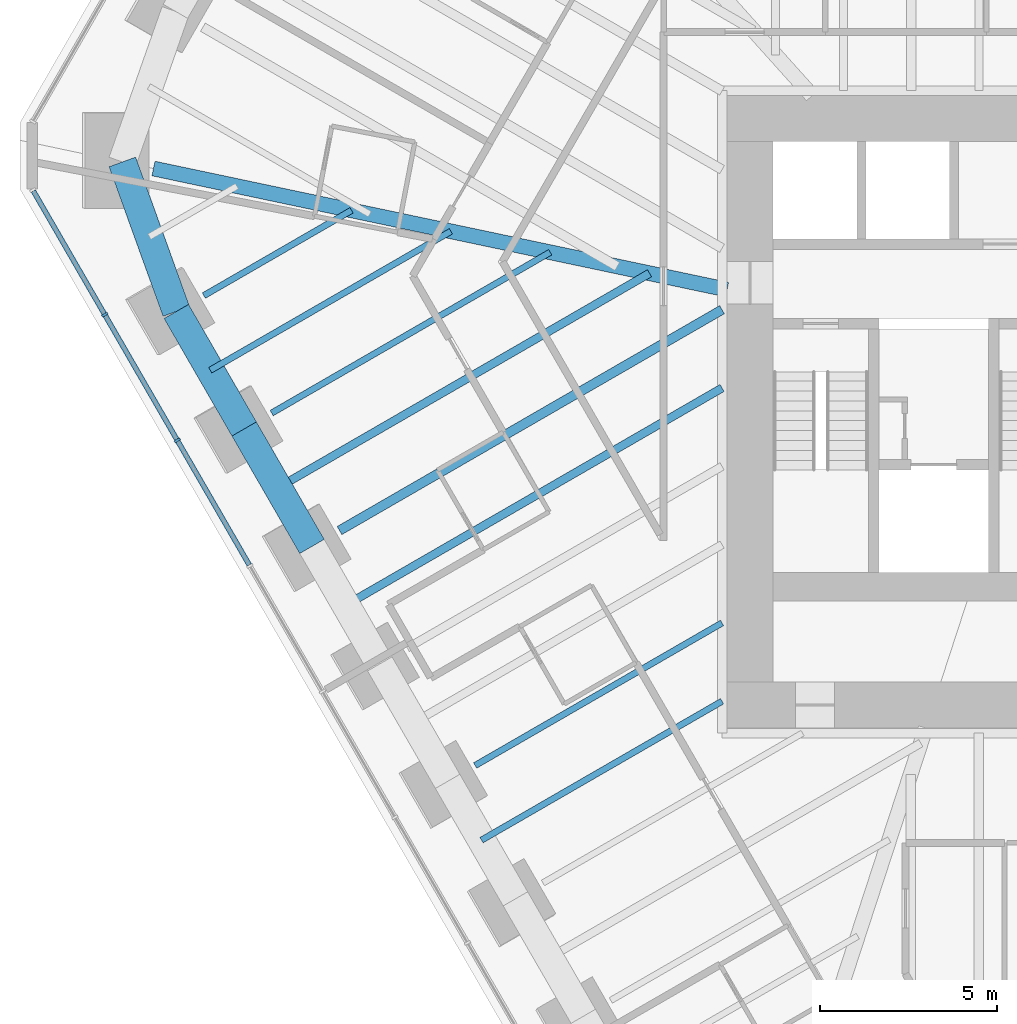
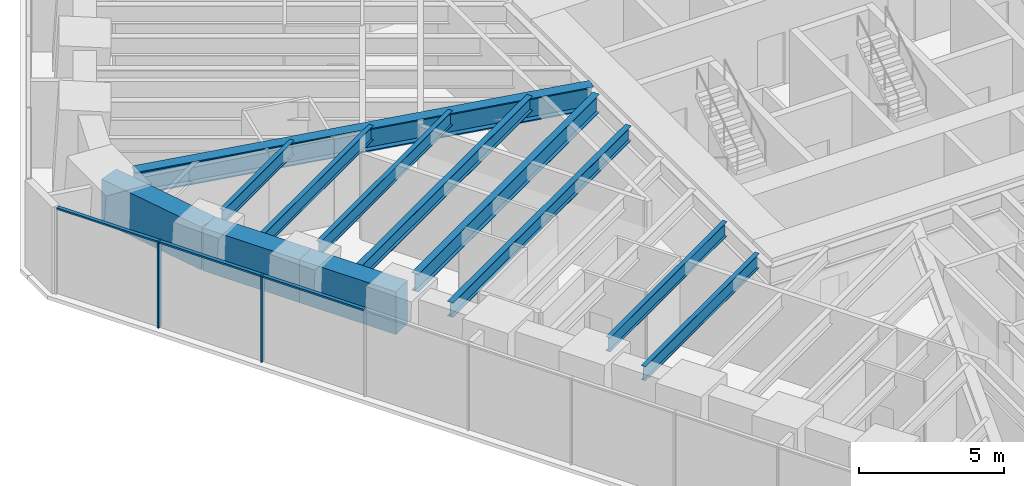
# One storey, part 3 of 18: 12 beams, 5 members, 1 element without a shape of its own.
"""IFC4 building model written with IfcOpenShell, lengths in metres."""

from ifc_helpers import new_model, si_unit, direction, frame, origin, origin_2d, place, context, subcontext, project, spatial, rectangle, i_section, extrude, material, material_profile, profile_set, type_object, element, aggregate, save


model = new_model("IFC4")

# Units and contexts
model_context = context("Model", 3, precision=1e-05, world=origin(), true_north=direction((0.0, 1.0)))
body_context = subcontext(model_context, "Body", "Model", "MODEL_VIEW")
ifc_project = project(units=[si_unit("LENGTHUNIT", "METRE"), si_unit("AREAUNIT", "SQUARE_METRE"), si_unit("VOLUMEUNIT", "CUBIC_METRE"), si_unit("PLANEANGLEUNIT", "RADIAN"), si_unit("MASSUNIT", "GRAM", prefix="KILO")], contexts=[model_context])

# Site, building, storey
site_placement = place(None, origin())
site = spatial("IfcSite", under=ifc_project, at=site_placement, CompositionType="ELEMENT")
building_placement = place(site_placement, origin())
building = spatial("IfcBuilding", under=site, at=building_placement, Name="Sandreach Pilgrim Tower", CompositionType="ELEMENT")
storey_placement = place(building_placement, frame((0.0, 0.0, 157.60009765625)))
storey = spatial("IfcBuildingStorey", under=building, at=storey_placement, Name="L39", CompositionType="ELEMENT", Elevation=157.60009765625)

# Curtain wall, members
ifc_material_1 = material(Name="Aluminium framed curtain wall", Category="aluminium")
curtain_wall_type = type_object("IfcCurtainWallType", Name="Hotel tower curtain wall", PredefinedType="NOTDEFINED", material=ifc_material_1)
curtain_wall_placement = place(storey_placement, origin())
curtain_wall = element("IfcCurtainWall", 1, at=curtain_wall_placement, inside=storey, type_object=curtain_wall_type, Name="CW-2 L39 SW", PredefinedType="NOTDEFINED")
ifc_material_2 = material(Name="Aluminium extrusion", Category="aluminium")
ifc_material_profile_1 = material_profile(ifc_material_2, rectangle(XDim=0.06494140625, YDim=0.179931640625, at=origin_2d()), Name="CW-2M 65X180")
ifc_profile_set_1 = profile_set([ifc_material_profile_1], Name="Aluminium extrusion")
member_type_1 = type_object("IfcMemberType", Name="CW-2 mullion", PredefinedType="MULLION", material=ifc_profile_set_1)
member_1_placement = place(storey_placement, frame((-24.614013671875, -2.35498046875, 0.0), z_axis=(0.0, 0.0, 1.0), x_axis=(-0.5, 0.866025403784, 0.0)))
member_1 = element("IfcMember", 2, at=member_1_placement, type_object=member_type_1, Name="CW-2 mullion 8", PredefinedType="MULLION", context=body_context, shape_type="SweptSolid", body=[
    extrude(rectangle(XDim=0.06494140625, YDim=0.179931640625, at=origin_2d()), origin(), (0.0, 0.0, 1.0), 3.639892578125),
])
member_2_placement = place(storey_placement, frame((-26.66748046875, 1.20166015625, 0.0), z_axis=(0.0, 0.0, 1.0), x_axis=(-0.5, 0.866025403784, 0.0)))
member_2 = element("IfcMember", 3, at=member_2_placement, type_object=member_type_1, Name="CW-2 mullion 9", PredefinedType="MULLION", context=body_context, shape_type="SweptSolid", body=[
    extrude(rectangle(XDim=0.06494140625, YDim=0.179931640625, at=origin_2d()), origin(), (0.0, 0.0, 1.0), 3.639892578125),
])
ifc_material_3 = material(Name="Aluminium extrusion", Category="aluminium")
ifc_material_profile_2 = material_profile(ifc_material_3, rectangle(XDim=0.139892578125, YDim=0.070068359375, at=origin_2d()), Name="CW-2T 140X70")
ifc_profile_set_2 = profile_set([ifc_material_profile_2], Name="Aluminium extrusion")
member_type_2 = type_object("IfcMemberType", Name="CW-2 transom", PredefinedType="USERDEFINED", material=ifc_profile_set_2)
member_3_placement = place(storey_placement, frame((-22.57666015625, -5.883544921875, 3.60498046875), z_axis=(-0.500023973715, 0.866011562111, 0.0), x_axis=(-0.866011562111, -0.500023973715, 0.0)))
member_3 = element("IfcMember", 4, at=member_3_placement, type_object=member_type_2, Name="CW-2 head transom 7", ObjectType="TRANSOM", PredefinedType="USERDEFINED", context=body_context, shape_type="SweptSolid", body=[
    extrude(rectangle(XDim=0.139892578125, YDim=0.070068359375, at=origin_2d()), origin(), (0.0, 0.0, 1.0), 4.041748046875),
])
member_4_placement = place(storey_placement, frame((-24.630126953125, -2.326904296875, 3.60498046875), z_axis=(-0.499997818338, 0.866026663364, 0.0), x_axis=(-0.866026663364, -0.499997818338, 0.0)))
member_4 = element("IfcMember", 5, at=member_4_placement, type_object=member_type_2, Name="CW-2 head transom 8", ObjectType="TRANSOM", PredefinedType="USERDEFINED", context=body_context, shape_type="SweptSolid", body=[
    extrude(rectangle(XDim=0.139892578125, YDim=0.070068359375, at=origin_2d()), origin(), (0.0, 0.0, 1.0), 4.0419921875),
])
member_5_placement = place(storey_placement, frame((-26.68359375, 1.229736328125, 3.60498046875), z_axis=(-0.500015851672, 0.866016251624, 0.0), x_axis=(-0.866016251624, -0.500015851672, 0.0)))
member_5 = element("IfcMember", 6, at=member_5_placement, type_object=member_type_2, Name="CW-2 head transom 9", ObjectType="TRANSOM", PredefinedType="USERDEFINED", context=body_context, shape_type="SweptSolid", body=[
    extrude(rectangle(XDim=0.139892578125, YDim=0.070068359375, at=origin_2d()), origin(), (0.0, 0.0, 1.0), 4.009521484375),
])
aggregate(curtain_wall, [member_1, member_2, member_3, member_4, member_5])

# Beams
ifc_material_4 = material(Name="Steel ASTM A992 Grade 50", Category="steel")
ifc_material_profile_3 = material_profile(ifc_material_4, i_section(OverallWidth=0.421630859375, OverallDepth=0.95751953125, WebThickness=0.02587890625, FlangeThickness=0.046875, at=origin_2d()), Name="W36X330")
ifc_profile_set_3 = profile_set([ifc_material_profile_3], Name="Steel ASTM A992 Grade 50")
beam_type_1 = type_object("IfcBeamType", Name="Corner girder W36X330", PredefinedType="BEAM", material=ifc_profile_set_3)
beam_1_placement = place(storey_placement, frame((-25.2890625, 5.33935546875, 3.1611328125), z_axis=(0.978428503133, -0.206585731008, 0.0), x_axis=(0.206585731008, 0.978428503133, 0.0)))
element("IfcBeam", 7, at=beam_1_placement, inside=storey, type_object=beam_type_1, Name="BM L39 CG35", PredefinedType="BEAM", context=body_context, shape_type="SweptSolid", body=[
    extrude(i_section(OverallWidth=0.421630859375, OverallDepth=0.95751953125, WebThickness=0.02587890625, FlangeThickness=0.046875, at=origin_2d()), origin(), (0.0, 0.0, 1.0), 16.596923828125),
])
ifc_material_5 = material(Name="Steel ASTM A992 Grade 50", Category="steel")
ifc_material_profile_4 = material_profile(ifc_material_5, i_section(OverallWidth=0.1787109375, OverallDepth=0.60205078125, WebThickness=0.010986328125, FlangeThickness=0.014892578125, at=origin_2d()), Name="W24X62")
ifc_profile_set_4 = profile_set([ifc_material_profile_4], Name="Steel ASTM A992 Grade 50")
beam_type_2 = type_object("IfcBeamType", Name="Floor beam W24X62", PredefinedType="BEAM", material=ifc_profile_set_4)
beam_2_placement = place(storey_placement, frame((-16.1826171875, -11.56005859375, 3.3388671875), z_axis=(0.866017328257, 0.500013986963, 0.0), x_axis=(-0.500013986963, 0.866017328257, 0.0)))
element("IfcBeam", 8, at=beam_2_placement, inside=storey, type_object=beam_type_2, Name="BM L39 F30", PredefinedType="BEAM", context=body_context, shape_type="SweptSolid", body=[
    extrude(i_section(OverallWidth=0.1787109375, OverallDepth=0.60205078125, WebThickness=0.010986328125, FlangeThickness=0.014892578125, at=origin_2d()), origin(), (0.0, 0.0, 1.0), 8.070556640625),
])
beam_3_placement = place(storey_placement, frame((-21.942626953125, -1.583740234375, 3.3388671875), z_axis=(0.866018113973, 0.500012626112, 0.0), x_axis=(-0.500012626112, 0.866018113973, 0.0)))
element("IfcBeam", 9, at=beam_3_placement, inside=storey, type_object=beam_type_2, Name="BM L39 F33", PredefinedType="BEAM", context=body_context, shape_type="SweptSolid", body=[
    extrude(i_section(OverallWidth=0.1787109375, OverallDepth=0.60205078125, WebThickness=0.010986328125, FlangeThickness=0.014892578125, at=origin_2d()), origin(), (0.0, 0.0, 1.0), 9.103759765625),
])
beam_4_placement = place(storey_placement, frame((-23.862548828125, 1.74169921875, 3.3388671875), z_axis=(0.866015461751, 0.500017219711, 0.0), x_axis=(-0.500017219711, 0.866015461751, 0.0)))
element("IfcBeam", 10, at=beam_4_placement, inside=storey, type_object=beam_type_2, Name="BM L39 F34", PredefinedType="BEAM", context=body_context, shape_type="SweptSolid", body=[
    extrude(i_section(OverallWidth=0.1787109375, OverallDepth=0.60205078125, WebThickness=0.010986328125, FlangeThickness=0.014892578125, at=origin_2d()), origin(), (0.0, 0.0, 1.0), 4.827392578125),
])
beam_5_placement = place(storey_placement, frame((-16.002197265625, -13.6728515625, 3.3388671875), z_axis=(0.866021661137, 0.500006482399, 0.0), x_axis=(-0.500006482399, 0.866021661137, 0.0)))
element("IfcBeam", 11, at=beam_5_placement, inside=storey, type_object=beam_type_2, Name="BM L39 FM29", PredefinedType="BEAM", context=body_context, shape_type="SweptSolid", body=[
    extrude(i_section(OverallWidth=0.1787109375, OverallDepth=0.60205078125, WebThickness=0.010986328125, FlangeThickness=0.014892578125, at=origin_2d()), origin(), (0.0, 0.0, 1.0), 7.8623046875),
])
beam_6_placement = place(storey_placement, frame((-23.681884765625, -0.370849609375, 3.3388671875), z_axis=(0.866034138114, 0.499984871393, 0.0), x_axis=(-0.499984871393, 0.866034138114, 0.0)))
element("IfcBeam", 12, at=beam_6_placement, inside=storey, type_object=beam_type_2, Name="BM L39 FM33", PredefinedType="BEAM", context=body_context, shape_type="SweptSolid", body=[
    extrude(i_section(OverallWidth=0.1787109375, OverallDepth=0.60205078125, WebThickness=0.010986328125, FlangeThickness=0.014892578125, at=origin_2d()), origin(), (0.0, 0.0, 1.0), 7.865478515625),
])
ifc_material_6 = material(Name="Steel ASTM A992 Grade 50", Category="steel")
ifc_material_profile_5 = material_profile(ifc_material_6, i_section(OverallWidth=0.23046875, OverallDepth=0.6171875, WebThickness=0.01318359375, FlangeThickness=0.022216796875, at=origin_2d()), Name="W24X94")
ifc_profile_set_5 = profile_set([ifc_material_profile_5], Name="Steel ASTM A992 Grade 50")
beam_type_3 = type_object("IfcBeamType", Name="Floor beam W24X94", PredefinedType="BEAM", material=ifc_profile_set_5)
beam_7_placement = place(storey_placement, frame((-19.842041015625, -7.02197265625, 3.331298828125), z_axis=(0.866019271044, 0.500010622067, 0.0), x_axis=(-0.500010622067, 0.866019271044, 0.0)))
element("IfcBeam", 13, at=beam_7_placement, inside=storey, type_object=beam_type_3, Name="BM L39 FM31", PredefinedType="BEAM", context=body_context, shape_type="SweptSolid", body=[
    extrude(i_section(OverallWidth=0.23046875, OverallDepth=0.6171875, WebThickness=0.01318359375, FlangeThickness=0.022216796875, at=origin_2d()), origin(), (0.0, 0.0, 1.0), 12.296142578125),
])
beam_8_placement = place(storey_placement, frame((-21.761962890625, -3.6962890625, 3.331298828125), z_axis=(0.866029549009, 0.499992820192, 0.0), x_axis=(-0.499992820192, 0.866029549009, 0.0)))
element("IfcBeam", 14, at=beam_8_placement, inside=storey, type_object=beam_type_3, Name="BM L39 FM32", PredefinedType="BEAM", context=body_context, shape_type="SweptSolid", body=[
    extrude(i_section(OverallWidth=0.23046875, OverallDepth=0.6171875, WebThickness=0.01318359375, FlangeThickness=0.022216796875, at=origin_2d()), origin(), (0.0, 0.0, 1.0), 12.141845703125),
])
ifc_material_7 = material(Name="Steel ASTM A992 Grade 50", Category="steel")
ifc_material_profile_6 = material_profile(ifc_material_7, i_section(OverallWidth=0.2666015625, OverallDepth=0.761962890625, WebThickness=0.014404296875, FlangeThickness=0.021484375, at=origin_2d()), Name="W30X116")
ifc_profile_set_6 = profile_set([ifc_material_profile_6], Name="Steel ASTM A992 Grade 50")
beam_type_4 = type_object("IfcBeamType", Name="Floor beam W30X116", PredefinedType="BEAM", material=ifc_profile_set_6)
beam_9_placement = place(storey_placement, frame((-20.022705078125, -4.9091796875, 3.2587890625), z_axis=(0.86602139559, 0.500006942333, 0.0), x_axis=(-0.500006942333, 0.86602139559, 0.0)))
element("IfcBeam", 15, at=beam_9_placement, inside=storey, type_object=beam_type_4, Name="BM L39 F32", PredefinedType="BEAM", context=body_context, shape_type="SweptSolid", body=[
    extrude(i_section(OverallWidth=0.2666015625, OverallDepth=0.761962890625, WebThickness=0.014404296875, FlangeThickness=0.021484375, at=origin_2d()), origin(), (0.0, 0.0, 1.0), 12.504638671875),
])
ifc_material_8 = material(Name="Concrete 10000 psi", Category="concrete")
ifc_material_profile_7 = material_profile(ifc_material_8, rectangle(XDim=0.800048828125, YDim=1.800048828125, at=origin_2d()), Name="RC800X1800")
ifc_profile_set_7 = profile_set([ifc_material_profile_7], Name="Concrete 10000 psi")
beam_type_5 = type_object("IfcBeamType", Name="Spandrel beam RC800X1800", PredefinedType="SPANDREL", material=ifc_profile_set_7)
for number, where, z_axis, x_axis, name in (
    (16, (-20.802001953125, -5.359130859375, 2.739990234375), (-0.499995802899, 0.866027826969, 0.0), (-0.866027826969, -0.499995802899, 0.0), "BM L39 SP32"),
    (17, (-22.721923828125, -2.03369140625, 2.739990234375), (-0.499995802899, 0.866027826969, 0.0), (-0.866027826969, -0.499995802899, 0.0), "BM L39 SP33"),
):
    element("IfcBeam", number, at=place(storey_placement, frame(where, z_axis=z_axis, x_axis=x_axis)), inside=storey, type_object=beam_type_5, Name=name, PredefinedType="SPANDREL", context=body_context, shape_type="SweptSolid", body=[
        extrude(rectangle(XDim=0.800048828125, YDim=1.800048828125, at=origin_2d()), origin(), (0.0, 0.0, 1.0), 3.83984375),
    ])
beam_10_placement = place(storey_placement, frame((-24.641845703125, 1.291748046875, 2.739990234375), z_axis=(-0.339451182068, 0.940623673417, 0.0), x_axis=(-0.940623673417, -0.339451182068, 0.0)))
element("IfcBeam", 18, at=beam_10_placement, inside=storey, type_object=beam_type_5, Name="BM L39 SP34", PredefinedType="SPANDREL", context=body_context, shape_type="SweptSolid", body=[
    extrude(rectangle(XDim=0.800048828125, YDim=1.800048828125, at=origin_2d()), origin(), (0.0, 0.0, 1.0), 4.5009765625),
])

save(model, "model.ifc")
